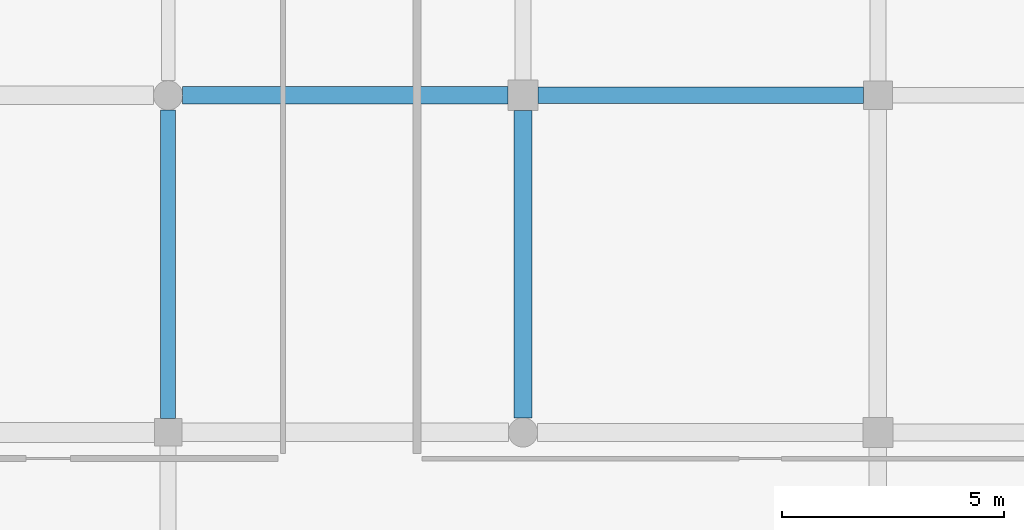
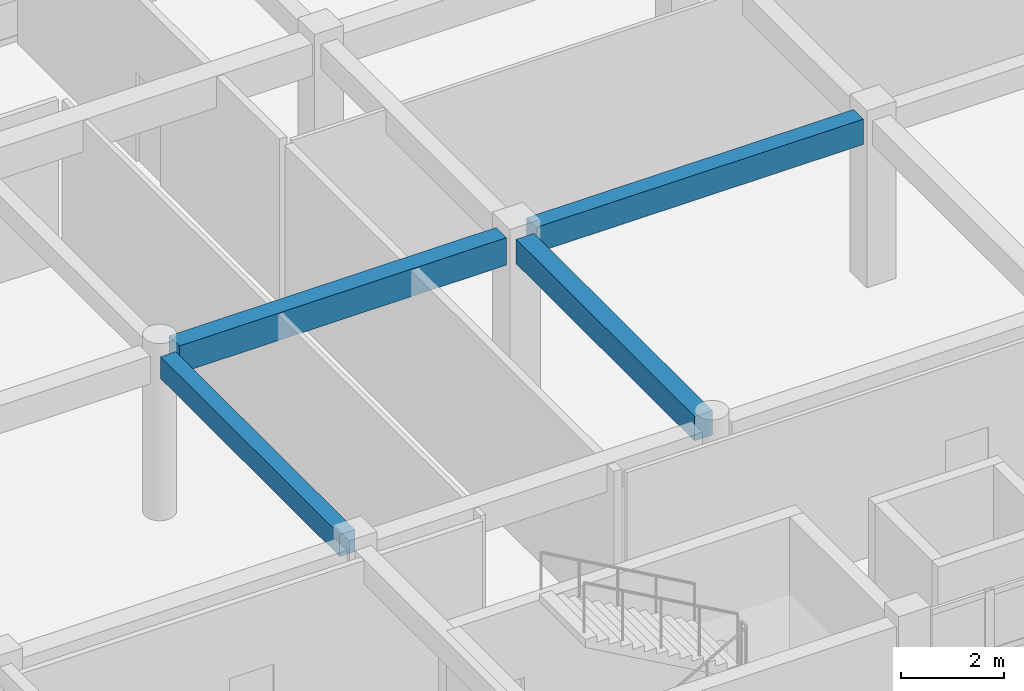
# One storey, part 119 of 195: 4 beams.
"""IFC4 building model written with IfcOpenShell, lengths in metres."""

from ifc_helpers import new_model, si_unit, direction, frame, origin, origin_2d, place, context, subcontext, project, spatial, rectangle, extrude, material, material_profile, profile_set, type_object, element, save


model = new_model("IFC4")

# Units and contexts
model_context = context("Model", 3, precision=1e-05, world=origin(), true_north=direction((0.0, 1.0)))
body_context = subcontext(model_context, "Body", "Model", "MODEL_VIEW")
ifc_project = project(units=[si_unit("LENGTHUNIT", "METRE"), si_unit("AREAUNIT", "SQUARE_METRE"), si_unit("VOLUMEUNIT", "CUBIC_METRE"), si_unit("PLANEANGLEUNIT", "RADIAN"), si_unit("MASSUNIT", "GRAM", prefix="KILO")], contexts=[model_context])

# Site, building, storey
site_placement = place(None, origin())
site = spatial("IfcSite", under=ifc_project, at=site_placement, CompositionType="ELEMENT")
building_placement = place(site_placement, origin())
building = spatial("IfcBuilding", under=site, at=building_placement, Name="Kharva Crest Polytechnic", CompositionType="ELEMENT")
storey_placement = place(building_placement, frame((0.0, 0.0, 9.0)))
storey = spatial("IfcBuildingStorey", under=building, at=storey_placement, Name="L02", CompositionType="ELEMENT", Elevation=9.0)

# Beams
ifc_material = material(Name="Concrete C35/45", Category="concrete")
ifc_material_profile_1 = material_profile(ifc_material, rectangle(XDim=0.340087890625, YDim=0.52001953125, at=origin_2d()), Name="RECT 340 X 520")
ifc_profile_set_1 = profile_set([ifc_material_profile_1], Name="Concrete C35/45")
beam_type_1 = type_object("IfcBeamType", Name="BM-RC-340X520", PredefinedType="BEAM", material=ifc_profile_set_1)
beam_1_placement = place(storey_placement, frame((128.800048828125, 7.909912109375, 3.659912109375), z_axis=(0.0, 1.0, 0.0), x_axis=(-1.0, 0.0, 0.0)))
element("IfcBeam", 1, at=beam_1_placement, inside=storey, type_object=beam_type_1, Name="L02 Girder 17/B-C", PredefinedType="BEAM", context=body_context, shape_type="SweptSolid", body=[
    extrude(rectangle(XDim=0.340087890625, YDim=0.52001953125, at=origin_2d()), origin(), (0.0, 0.0, 1.0), 6.960205078125),
])
ifc_material_profile_2 = material_profile(ifc_material, rectangle(XDim=0.3798828125, YDim=0.60009765625, at=origin_2d()), Name="RECT 380 X 600")
ifc_profile_set_2 = profile_set([ifc_material_profile_2], Name="Concrete C35/45")
beam_type_2 = type_object("IfcBeamType", Name="BM-RC-380X600", PredefinedType="BEAM", material=ifc_profile_set_2)
beam_2_placement = place(storey_placement, frame((137.139892578125, 15.199951171875, 3.6201171875), z_axis=(1.0, 0.0, 0.0), x_axis=(0.0, 1.0, 0.0)))
element("IfcBeam", 2, at=beam_2_placement, inside=storey, type_object=beam_type_2, Name="L02 Beam C/18-19", PredefinedType="BEAM", context=body_context, shape_type="SweptSolid", body=[
    extrude(rectangle(XDim=0.3798828125, YDim=0.60009765625, at=origin_2d()), origin(), (0.0, 0.0, 1.0), 7.335205078125),
])
ifc_material_profile_3 = material_profile(ifc_material, rectangle(XDim=0.39990234375, YDim=0.580078125, at=origin_2d()), Name="RECT 400 X 580")
ifc_profile_set_3 = profile_set([ifc_material_profile_3], Name="Concrete C35/45")
beam_type_3 = type_object("IfcBeamType", Name="BM-RC-400X580", PredefinedType="BEAM", material=ifc_profile_set_3)
beam_3_placement = place(storey_placement, frame((136.800048828125, 7.929931640625, 3.6298828125), z_axis=(0.0, 1.0, 0.0), x_axis=(-1.0, 0.0, 0.0)))
element("IfcBeam", 3, at=beam_3_placement, inside=storey, type_object=beam_type_3, Name="L02 Girder 18/B-C", PredefinedType="BEAM", context=body_context, shape_type="SweptSolid", body=[
    extrude(rectangle(XDim=0.39990234375, YDim=0.580078125, at=origin_2d()), origin(), (0.0, 0.0, 1.0), 6.93017578125),
])
ifc_material_profile_4 = material_profile(ifc_material, rectangle(XDim=0.39990234375, YDim=0.64990234375, at=origin_2d()), Name="RECT 400 X 650")
ifc_profile_set_4 = profile_set([ifc_material_profile_4], Name="Concrete C35/45")
beam_type_4 = type_object("IfcBeamType", Name="BM-RC-400X650", PredefinedType="BEAM", material=ifc_profile_set_4)
beam_4_placement = place(storey_placement, frame((129.1298828125, 15.199951171875, 3.594970703125), z_axis=(1.0, 0.0, 0.0), x_axis=(0.0, 1.0, 0.0)))
element("IfcBeam", 4, at=beam_4_placement, inside=storey, type_object=beam_type_4, Name="L02 Beam C/17-18", PredefinedType="BEAM", context=body_context, shape_type="SweptSolid", body=[
    extrude(rectangle(XDim=0.39990234375, YDim=0.64990234375, at=origin_2d()), origin(), (0.0, 0.0, 1.0), 7.330078125),
])

save(model, "model.ifc")
